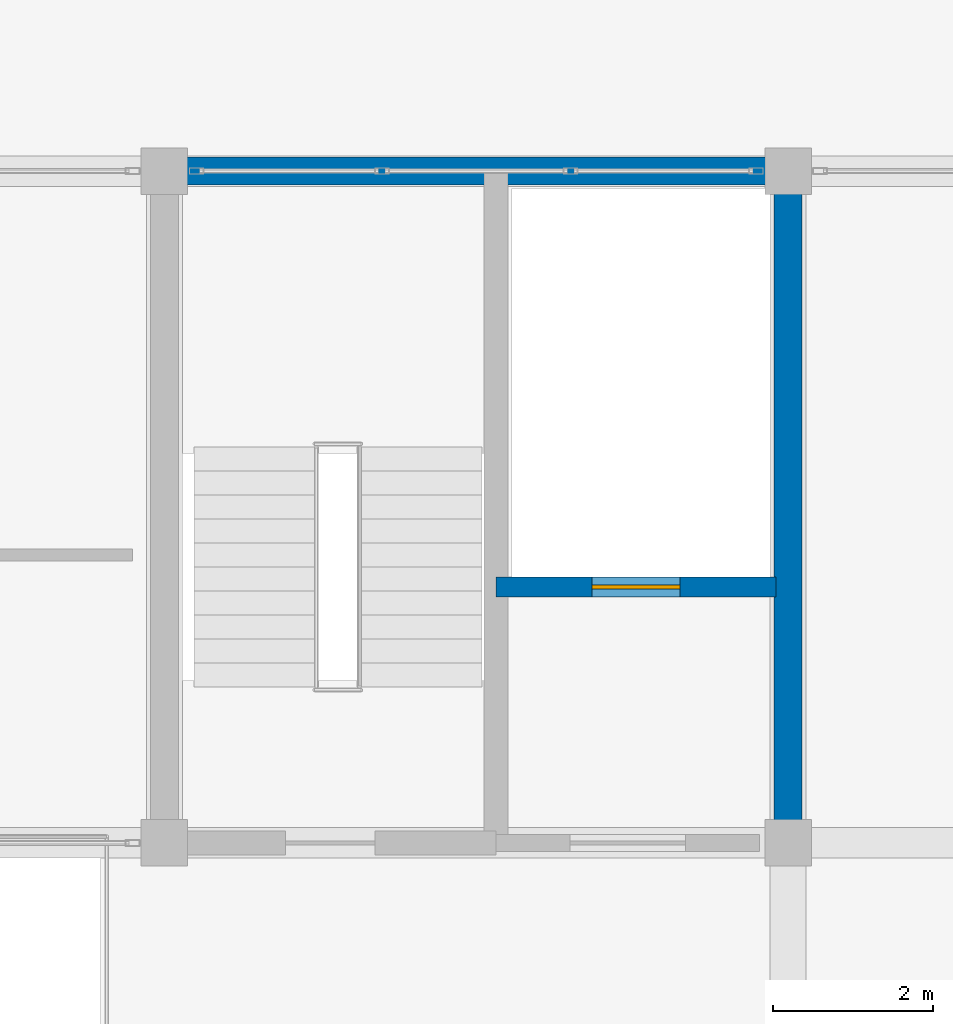
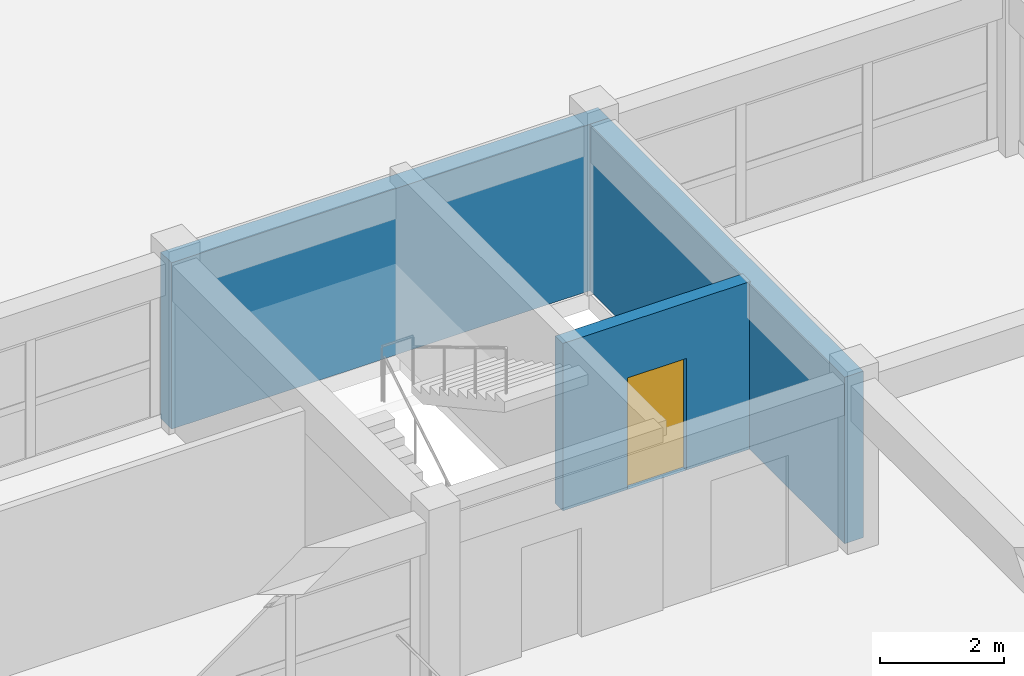
# One storey, part 96 of 101: 3 walls, 1 door, 1 opening.
"""IFC4 building model written with IfcOpenShell, lengths in metres."""

from ifc_helpers import new_model, si_unit, direction, frame, frame_2d, origin, place, context, subcontext, project, spatial, rectangle, extrude, material, layer, layer_set, type_object, element, fill, save


model = new_model("IFC4")

# Units and contexts
model_context = context("Model", 3, precision=1e-05, world=origin(), true_north=direction((0.0, 1.0)))
body_context = subcontext(model_context, "Body", "Model", "MODEL_VIEW")
ifc_project = project(units=[si_unit("LENGTHUNIT", "METRE"), si_unit("AREAUNIT", "SQUARE_METRE"), si_unit("VOLUMEUNIT", "CUBIC_METRE"), si_unit("PLANEANGLEUNIT", "RADIAN"), si_unit("MASSUNIT", "GRAM", prefix="KILO")], contexts=[model_context])

# Site, building, storey
site_placement = place(None, origin())
site = spatial("IfcSite", under=ifc_project, at=site_placement, CompositionType="ELEMENT")
building_placement = place(site_placement, origin())
building = spatial("IfcBuilding", under=site, at=building_placement, Name="Zizhar Promenade General Hospital", CompositionType="ELEMENT")
storey_placement = place(building_placement, frame((0.0, 0.0, 14.39990234375)))
storey = spatial("IfcBuildingStorey", under=building, at=storey_placement, Name="L03", CompositionType="ELEMENT", Elevation=14.39990234375)

# Wall, opening, door
ifc_material_1 = material(Name="Concrete C35/45", Category="concrete")
ifc_layer_1 = layer(ifc_material_1, 0.25)
ifc_layer_set_1 = layer_set([ifc_layer_1], Name="Concrete C35/45")
wall_type_1 = type_object("IfcWallType", Name="IW-SHAFT-250", PredefinedType="STANDARD", material=ifc_layer_set_1)
wall_1_placement = place(storey_placement, frame((175.75, 95.60009765625, 0.0), z_axis=(0.0, 0.0, 1.0), x_axis=(1.0, 0.0, 0.0)))
wall_1 = element("IfcWall", 1, at=wall_1_placement, inside=storey, type_object=wall_type_1, Name="Core C8 Lift Shaft Landing Wall (L03)", PredefinedType="STANDARD", context=body_context, shape_type="SweptSolid", body=[
    extrude(rectangle(XDim=3.5, YDim=0.25, at=frame_2d((1.75, 0.0))), origin(), (0.0, 0.0, 1.0), 3.300048828125),
])
opening_placement = place(wall_1_placement, frame((1.199951171875, 0.0, 0.0)))
opening = element("IfcOpeningElement", 2, at=opening_placement, cuts=wall_1, Name="Opening LD-11", PredefinedType="OPENING", context=body_context, shape_type="SweptSolid", body=[
    extrude(rectangle(XDim=1.10009765625, YDim=2.199951171875, at=frame_2d((0.550048828125, 1.10009765625))), frame((0.0, 0.135009765625, 0.0), z_axis=(0.0, -1.0, 0.0), x_axis=(1.0, 0.0, 0.0)), (0.0, 0.0, 1.0), 0.27001953125),
])
ifc_material_2 = material(Name="Stainless Steel S355 passenger lift landing door", Category="steel")
door_type = type_object("IfcDoorType", Name="DR-LIFT-LD11", OperationType="SLIDING_TO_LEFT", PredefinedType="DOOR", material=ifc_material_2)
door_placement = place(opening_placement, origin())
door = element("IfcDoor", 3, at=door_placement, inside=storey, type_object=door_type, Name="Lift LP-04 Sliding Landing Door (L03)", OperationType="SLIDING_TO_LEFT", OverallHeight=2.199951171875, OverallWidth=1.10009765625, PredefinedType="DOOR", context=body_context, shape_type="SweptSolid", body=[
    extrude(rectangle(XDim=1.10009765625, YDim=2.199951171875, at=frame_2d((0.550048828125, 1.10009765625))), frame((0.0, 0.02490234375, 0.0), z_axis=(0.0, -1.0, 0.0), x_axis=(1.0, 0.0, 0.0)), (0.0, 0.0, 1.0), 0.050048828125),
])
fill(opening, door)

# Walls
ifc_material_3 = material(Name="Concrete C40/50", Category="concrete")
ifc_layer_2 = layer(ifc_material_3, 0.35009765625)
ifc_layer_set_2 = layer_set([ifc_layer_2], Name="Concrete C40/50")
wall_type_2 = type_object("IfcWallType", Name="WL-CORE-350", PredefinedType="SHEAR", material=ifc_layer_set_2)
wall_2_placement = place(storey_placement, frame((171.425048828125, 100.800048828125, 0.0), z_axis=(0.0, 0.0, 1.0), x_axis=(1.0, 0.0, 0.0)))
element("IfcWall", 4, at=wall_2_placement, inside=storey, type_object=wall_type_2, Name="Core C8 North Shear Wall L03", PredefinedType="SHEAR", context=body_context, shape_type="SweptSolid", body=[
    extrude(rectangle(XDim=8.14990234375, YDim=0.35009765625, at=frame_2d((4.074951171875, 0.0))), origin(), (0.0, 0.0, 1.0), 3.280029296875),
])
wall_3_placement = place(storey_placement, frame((179.39990234375, 92.39990234375, 0.0), z_axis=(0.0, 0.0, 1.0), x_axis=(0.0, 1.0, 0.0)))
element("IfcWall", 5, at=wall_3_placement, inside=storey, type_object=wall_type_2, Name="Core C8 East Shear Wall L03", PredefinedType="SHEAR", context=body_context, shape_type="SweptSolid", body=[
    extrude(rectangle(XDim=8.400146484375, YDim=0.35009765625, at=frame_2d((4.2001953125, 0.0))), origin(), (0.0, 0.0, 1.0), 3.280029296875),
])

save(model, "model.ifc")
